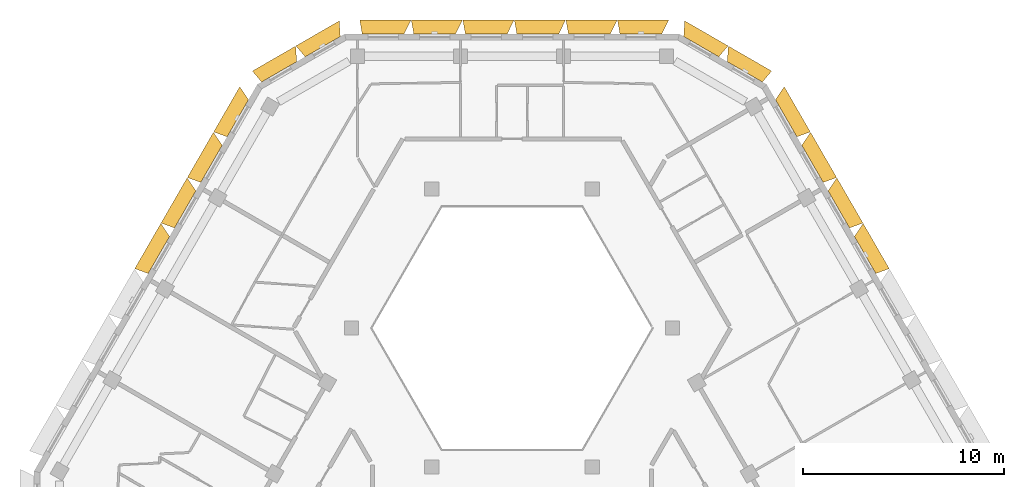
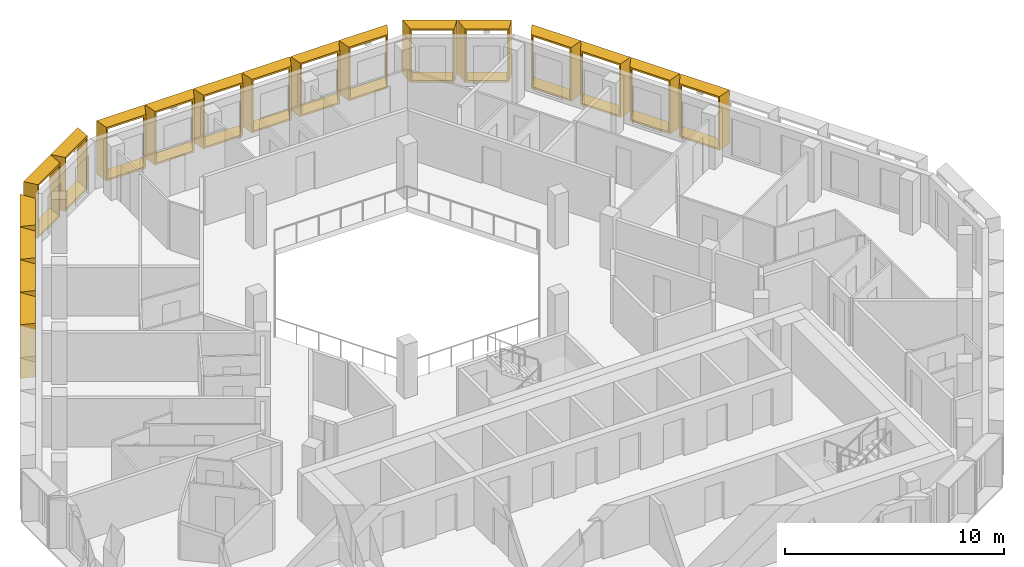
# One storey, part 16 of 16: 18 shading devices.
"""IFC4 building model written with IfcOpenShell, lengths in metres."""

from ifc_helpers import new_model, entity, si_unit, direction, frame, origin, place, context, subcontext, project, spatial, source, transform, mapped, material, type_object, type_shapes, element, save


model = new_model("IFC4")

# Units and contexts
model_context = context("Model", 3, precision=1e-05, world=origin(), true_north=direction((0.0, 1.0)))
body_context = subcontext(model_context, "Body", "Model", "MODEL_VIEW")
ifc_project = project(units=[si_unit("LENGTHUNIT", "METRE"), si_unit("AREAUNIT", "SQUARE_METRE"), si_unit("VOLUMEUNIT", "CUBIC_METRE"), si_unit("PLANEANGLEUNIT", "RADIAN"), si_unit("MASSUNIT", "GRAM", prefix="KILO")], contexts=[model_context])

# Site, building, storey
site_placement = place(None, origin())
site = spatial("IfcSite", under=ifc_project, at=site_placement, CompositionType="ELEMENT")
building_placement = place(site_placement, origin())
building = spatial("IfcBuilding", under=site, at=building_placement, Name="Beryl Residences", CompositionType="ELEMENT")
storey_placement = place(building_placement, frame((0.0, 0.0, 214.800048828125)))
storey = spatial("IfcBuildingStorey", under=building, at=storey_placement, Name="L66", CompositionType="ELEMENT", Elevation=214.800048828125)

# Shading devices
ifc_material_1 = material(Name="Aluminium pale anodised", Category="aluminium")
shading_device_type_1 = type_object("IfcShadingDeviceType", Name="FR250-70B OUTER SKIN frame 700 mm deep, splay 26/10 deg, 2500 x 3000 mm cell", PredefinedType="USERDEFINED", material=ifc_material_1)
cartesian_point_1 = entity("IfcCartesianPoint", [-1.007568359375, 0.0])
cartesian_point_2 = entity("IfcCartesianPoint", [-0.91845703125, 0.10009765625])
cartesian_point_3 = entity("IfcCartesianPoint", [-1.348876953125, 0.0])
cartesian_point_4 = entity("IfcCartesianPoint", [-1.260009765625, 0.10009765625])
shared_shape_1 = source(origin(), body_context, "Body", "SweptSolid", [
    entity("IfcExtrudedAreaSolidTapered", entity("IfcArbitraryProfileDefWithVoids", "AREA", None, entity("IfcPolyline", [cartesian_point_1, entity("IfcCartesianPoint", [1.007568359375, 0.0]), entity("IfcCartesianPoint", [1.007568359375, 3.0]), entity("IfcCartesianPoint", [-1.007568359375, 3.0]), cartesian_point_1]), [entity("IfcPolyline", [cartesian_point_2, entity("IfcCartesianPoint", [0.92626953125, 0.10009765625]), entity("IfcCartesianPoint", [0.92626953125, 2.89990234375]), entity("IfcCartesianPoint", [-0.91845703125, 2.89990234375]), cartesian_point_2])]), entity("IfcAxis2Placement3D", entity("IfcCartesianPoint", [0.0, 0.0, 0.0]), entity("IfcDirection", [0.0, 1.0, 0.0]), entity("IfcDirection", [-1.0, 0.0, 0.0])), entity("IfcDirection", [0.0, 0.0, 1.0]), 0.699951171875, entity("IfcArbitraryProfileDefWithVoids", "AREA", None, entity("IfcPolyline", [cartesian_point_3, entity("IfcCartesianPoint", [1.130859375, 0.0]), entity("IfcCartesianPoint", [1.130859375, 3.0]), entity("IfcCartesianPoint", [-1.348876953125, 3.0]), cartesian_point_3]), [entity("IfcPolyline", [cartesian_point_4, entity("IfcCartesianPoint", [1.0498046875, 0.10009765625]), entity("IfcCartesianPoint", [1.0498046875, 2.89990234375]), entity("IfcCartesianPoint", [-1.260009765625, 2.89990234375]), cartesian_point_4])])),
])
type_shapes(shading_device_type_1, [shared_shape_1])
for number, where, z_axis, x_axis, name in (
    (1, (-9.39599609375, 21.97509765625, 0.0), (0.0, 0.0, 1.0), (0.866025403784, 0.5, 0.0), "FR250-70B frame L66 N-NW 1"),
    (2, (-11.56103515625, 20.72509765625, 0.0), (0.0, 0.0, 1.0), (0.866025403784, 0.5, 0.0), "FR250-70B frame L66 N-NW 2"),
):
    element("IfcShadingDevice", number, at=place(storey_placement, frame(where, z_axis=z_axis, x_axis=x_axis)), inside=storey, type_object=shading_device_type_1, Name=name, ObjectType="OUTER SKIN", PredefinedType="USERDEFINED", context=body_context, shape_type="MappedRepresentation", body=[
        mapped(shared_shape_1, transform((0.0, 0.0, 0.0))),
    ])
ifc_material_2 = material(Name="Aluminium pale anodised", Category="aluminium")
shading_device_type_2 = type_object("IfcShadingDeviceType", Name="FR250-70C OUTER SKIN frame 700 mm deep, splay 10/26 deg, 2500 x 3000 mm cell", PredefinedType="USERDEFINED", material=ifc_material_2)
cartesian_point_5 = entity("IfcCartesianPoint", [-1.007568359375, 0.0])
cartesian_point_6 = entity("IfcCartesianPoint", [-0.92626953125, 0.10009765625])
cartesian_point_7 = entity("IfcCartesianPoint", [-1.130859375, 0.0])
cartesian_point_8 = entity("IfcCartesianPoint", [-1.0498046875, 0.10009765625])
shared_shape_2 = source(origin(), body_context, "Body", "SweptSolid", [
    entity("IfcExtrudedAreaSolidTapered", entity("IfcArbitraryProfileDefWithVoids", "AREA", None, entity("IfcPolyline", [cartesian_point_5, entity("IfcCartesianPoint", [1.007568359375, 0.0]), entity("IfcCartesianPoint", [1.007568359375, 3.0]), entity("IfcCartesianPoint", [-1.007568359375, 3.0]), cartesian_point_5]), [entity("IfcPolyline", [cartesian_point_6, entity("IfcCartesianPoint", [0.91845703125, 0.10009765625]), entity("IfcCartesianPoint", [0.91845703125, 2.89990234375]), entity("IfcCartesianPoint", [-0.92626953125, 2.89990234375]), cartesian_point_6])]), entity("IfcAxis2Placement3D", entity("IfcCartesianPoint", [0.0, 0.0, 0.0]), entity("IfcDirection", [0.0, 1.0, 0.0]), entity("IfcDirection", [-1.0, 0.0, 0.0])), entity("IfcDirection", [0.0, 0.0, 1.0]), 0.699951171875, entity("IfcArbitraryProfileDefWithVoids", "AREA", None, entity("IfcPolyline", [cartesian_point_7, entity("IfcCartesianPoint", [1.348876953125, 0.0]), entity("IfcCartesianPoint", [1.348876953125, 3.0]), entity("IfcCartesianPoint", [-1.130859375, 3.0]), cartesian_point_7]), [entity("IfcPolyline", [cartesian_point_8, entity("IfcCartesianPoint", [1.260009765625, 0.10009765625]), entity("IfcCartesianPoint", [1.260009765625, 2.89990234375]), entity("IfcCartesianPoint", [-1.0498046875, 2.89990234375]), cartesian_point_8])])),
])
type_shapes(shading_device_type_2, [shared_shape_2])
for number, where, z_axis, x_axis, name in (
    (3, (11.56103515625, 20.72509765625, 0.0), (0.0, 0.0, 1.0), (0.866025403784, -0.5, 0.0), "FR250-70C frame L66 NE-N 1"),
    (4, (9.39599609375, 21.97509765625, 0.0), (0.0, 0.0, 1.0), (0.866025403784, -0.5, 0.0), "FR250-70C frame L66 NE-N 2"),
):
    element("IfcShadingDevice", number, at=place(storey_placement, frame(where, z_axis=z_axis, x_axis=x_axis)), inside=storey, type_object=shading_device_type_2, Name=name, ObjectType="OUTER SKIN", PredefinedType="USERDEFINED", context=body_context, shape_type="MappedRepresentation", body=[
        mapped(shared_shape_2, transform((0.0, 0.0, 0.0))),
    ])
ifc_material_3 = material(Name="Aluminium pale anodised", Category="aluminium")
shading_device_type_3 = type_object("IfcShadingDeviceType", Name="FR256-70B OUTER SKIN frame 700 mm deep, splay 26/10 deg, 2560 x 3000 mm cell", PredefinedType="USERDEFINED", material=ifc_material_3)
cartesian_point_9 = entity("IfcCartesianPoint", [-1.03759765625, 0.0])
cartesian_point_10 = entity("IfcCartesianPoint", [-0.948486328125, 0.10009765625])
cartesian_point_11 = entity("IfcCartesianPoint", [-1.37890625, 0.0])
cartesian_point_12 = entity("IfcCartesianPoint", [-1.289794921875, 0.10009765625])
shared_shape_3 = source(origin(), body_context, "Body", "SweptSolid", [
    entity("IfcExtrudedAreaSolidTapered", entity("IfcArbitraryProfileDefWithVoids", "AREA", None, entity("IfcPolyline", [cartesian_point_9, entity("IfcCartesianPoint", [1.03759765625, 0.0]), entity("IfcCartesianPoint", [1.03759765625, 3.0]), entity("IfcCartesianPoint", [-1.03759765625, 3.0]), cartesian_point_9]), [entity("IfcPolyline", [cartesian_point_10, entity("IfcCartesianPoint", [0.956298828125, 0.10009765625]), entity("IfcCartesianPoint", [0.956298828125, 2.89990234375]), entity("IfcCartesianPoint", [-0.948486328125, 2.89990234375]), cartesian_point_10])]), entity("IfcAxis2Placement3D", entity("IfcCartesianPoint", [0.0, 0.0, 0.0]), entity("IfcDirection", [0.0, 1.0, 0.0]), entity("IfcDirection", [-1.0, 0.0, 0.0])), entity("IfcDirection", [0.0, 0.0, 1.0]), 0.699951171875, entity("IfcArbitraryProfileDefWithVoids", "AREA", None, entity("IfcPolyline", [cartesian_point_11, entity("IfcCartesianPoint", [1.160888671875, 0.0]), entity("IfcCartesianPoint", [1.160888671875, 3.0]), entity("IfcCartesianPoint", [-1.37890625, 3.0]), cartesian_point_11]), [entity("IfcPolyline", [cartesian_point_12, entity("IfcCartesianPoint", [1.07958984375, 0.10009765625]), entity("IfcCartesianPoint", [1.07958984375, 2.89990234375]), entity("IfcCartesianPoint", [-1.289794921875, 2.89990234375]), cartesian_point_12])])),
])
type_shapes(shading_device_type_3, [shared_shape_3])
for number, where, z_axis, x_axis, name in (
    (5, (6.39892578125, 22.60009765625, 0.0), (0.0, 0.0, 1.0), (1.0, 0.0, 0.0), "FR256-70B frame L66 N 1"),
    (6, (3.840087890625, 22.60009765625, 0.0), (0.0, 0.0, 1.0), (1.0, 0.0, 0.0), "FR256-70B frame L66 N 2"),
    (7, (1.280029296875, 22.60009765625, 0.0), (0.0, 0.0, 1.0), (1.0, 0.0, 0.0), "FR256-70B frame L66 N 3"),
    (8, (-1.279052734375, 22.60009765625, 0.0), (0.0, 0.0, 1.0), (1.0, 0.0, 0.0), "FR256-70B frame L66 N 4"),
    (9, (-3.839111328125, 22.60009765625, 0.0), (0.0, 0.0, 1.0), (1.0, 0.0, 0.0), "FR256-70B frame L66 N 5"),
    (10, (-6.39794921875, 22.60009765625, 0.0), (0.0, 0.0, 1.0), (1.0, 0.0, 0.0), "FR256-70B frame L66 N 6"),
):
    element("IfcShadingDevice", number, at=place(storey_placement, frame(where, z_axis=z_axis, x_axis=x_axis)), inside=storey, type_object=shading_device_type_3, Name=name, ObjectType="OUTER SKIN", PredefinedType="USERDEFINED", context=body_context, shape_type="MappedRepresentation", body=[
        mapped(shared_shape_3, transform((0.0, 0.0, 0.0))),
    ])
ifc_material_4 = material(Name="Aluminium pale anodised", Category="aluminium")
shading_device_type_4 = type_object("IfcShadingDeviceType", Name="FR261-70B OUTER SKIN frame 700 mm deep, splay 26/10 deg, 2610 x 3000 mm cell", PredefinedType="USERDEFINED", material=ifc_material_4)
cartesian_point_13 = entity("IfcCartesianPoint", [-1.0625, 0.0])
cartesian_point_14 = entity("IfcCartesianPoint", [-0.973388671875, 0.10009765625])
cartesian_point_15 = entity("IfcCartesianPoint", [-1.40380859375, 0.0])
cartesian_point_16 = entity("IfcCartesianPoint", [-1.31494140625, 0.10009765625])
shared_shape_4 = source(origin(), body_context, "Body", "SweptSolid", [
    entity("IfcExtrudedAreaSolidTapered", entity("IfcArbitraryProfileDefWithVoids", "AREA", None, entity("IfcPolyline", [cartesian_point_13, entity("IfcCartesianPoint", [1.0625, 0.0]), entity("IfcCartesianPoint", [1.0625, 3.0]), entity("IfcCartesianPoint", [-1.0625, 3.0]), cartesian_point_13]), [entity("IfcPolyline", [cartesian_point_14, entity("IfcCartesianPoint", [0.981201171875, 0.10009765625]), entity("IfcCartesianPoint", [0.981201171875, 2.89990234375]), entity("IfcCartesianPoint", [-0.973388671875, 2.89990234375]), cartesian_point_14])]), entity("IfcAxis2Placement3D", entity("IfcCartesianPoint", [0.0, 0.0, 0.0]), entity("IfcDirection", [0.0, 1.0, 0.0]), entity("IfcDirection", [-1.0, 0.0, 0.0])), entity("IfcDirection", [0.0, 0.0, 1.0]), 0.699951171875, entity("IfcArbitraryProfileDefWithVoids", "AREA", None, entity("IfcPolyline", [cartesian_point_15, entity("IfcCartesianPoint", [1.18603515625, 0.0]), entity("IfcCartesianPoint", [1.18603515625, 3.0]), entity("IfcCartesianPoint", [-1.40380859375, 3.0]), cartesian_point_15]), [entity("IfcPolyline", [cartesian_point_16, entity("IfcCartesianPoint", [1.104736328125, 0.10009765625]), entity("IfcCartesianPoint", [1.104736328125, 2.89990234375]), entity("IfcCartesianPoint", [-1.31494140625, 2.89990234375]), cartesian_point_16])])),
])
type_shapes(shading_device_type_4, [shared_shape_4])
for number, where, z_axis, x_axis, name in (
    (11, (-13.614013671875, 18.4189453125, 0.0), (0.0, 0.0, 1.0), (0.5, 0.866025403784, 0.0), "FR261-70B frame L66 NW 1"),
    (12, (-14.9208984375, 16.156005859375, 0.0), (0.0, 0.0, 1.0), (0.5, 0.866025403784, 0.0), "FR261-70B frame L66 NW 2"),
    (13, (-16.22705078125, 13.89404296875, 0.0), (0.0, 0.0, 1.0), (0.5, 0.866025403784, 0.0), "FR261-70B frame L66 NW 3"),
    (14, (-17.532958984375, 11.631103515625, 0.0), (0.0, 0.0, 1.0), (0.5, 0.866025403784, 0.0), "FR261-70B frame L66 NW 4"),
):
    element("IfcShadingDevice", number, at=place(storey_placement, frame(where, z_axis=z_axis, x_axis=x_axis)), inside=storey, type_object=shading_device_type_4, Name=name, ObjectType="OUTER SKIN", PredefinedType="USERDEFINED", context=body_context, shape_type="MappedRepresentation", body=[
        mapped(shared_shape_4, transform((0.0, 0.0, 0.0))),
    ])
ifc_material_5 = material(Name="Aluminium pale anodised", Category="aluminium")
shading_device_type_5 = type_object("IfcShadingDeviceType", Name="FR261-70C OUTER SKIN frame 700 mm deep, splay 10/26 deg, 2610 x 3000 mm cell", PredefinedType="USERDEFINED", material=ifc_material_5)
cartesian_point_17 = entity("IfcCartesianPoint", [-1.0625, 0.0])
cartesian_point_18 = entity("IfcCartesianPoint", [-0.981201171875, 0.10009765625])
cartesian_point_19 = entity("IfcCartesianPoint", [-1.18603515625, 0.0])
cartesian_point_20 = entity("IfcCartesianPoint", [-1.104736328125, 0.10009765625])
shared_shape_5 = source(origin(), body_context, "Body", "SweptSolid", [
    entity("IfcExtrudedAreaSolidTapered", entity("IfcArbitraryProfileDefWithVoids", "AREA", None, entity("IfcPolyline", [cartesian_point_17, entity("IfcCartesianPoint", [1.0625, 0.0]), entity("IfcCartesianPoint", [1.0625, 3.0]), entity("IfcCartesianPoint", [-1.0625, 3.0]), cartesian_point_17]), [entity("IfcPolyline", [cartesian_point_18, entity("IfcCartesianPoint", [0.973388671875, 0.10009765625]), entity("IfcCartesianPoint", [0.973388671875, 2.89990234375]), entity("IfcCartesianPoint", [-0.981201171875, 2.89990234375]), cartesian_point_18])]), entity("IfcAxis2Placement3D", entity("IfcCartesianPoint", [0.0, 0.0, 0.0]), entity("IfcDirection", [0.0, 1.0, 0.0]), entity("IfcDirection", [-1.0, 0.0, 0.0])), entity("IfcDirection", [0.0, 0.0, 1.0]), 0.699951171875, entity("IfcArbitraryProfileDefWithVoids", "AREA", None, entity("IfcPolyline", [cartesian_point_19, entity("IfcCartesianPoint", [1.40380859375, 0.0]), entity("IfcCartesianPoint", [1.40380859375, 3.0]), entity("IfcCartesianPoint", [-1.18603515625, 3.0]), cartesian_point_19]), [entity("IfcPolyline", [cartesian_point_20, entity("IfcCartesianPoint", [1.31494140625, 0.10009765625]), entity("IfcCartesianPoint", [1.31494140625, 2.89990234375]), entity("IfcCartesianPoint", [-1.104736328125, 2.89990234375]), cartesian_point_20])])),
])
type_shapes(shading_device_type_5, [shared_shape_5])
for number, where, z_axis, x_axis, name in (
    (15, (17.532958984375, 11.631103515625, 0.0), (0.0, 0.0, 1.0), (0.5, -0.866025403784, 0.0), "FR261-70C frame L66 NE 5"),
    (16, (16.22705078125, 13.89404296875, 0.0), (0.0, 0.0, 1.0), (0.5, -0.866025403784, 0.0), "FR261-70C frame L66 NE 6"),
    (17, (14.9208984375, 16.156005859375, 0.0), (0.0, 0.0, 1.0), (0.5, -0.866025403784, 0.0), "FR261-70C frame L66 NE 7"),
    (18, (13.614013671875, 18.4189453125, 0.0), (0.0, 0.0, 1.0), (0.5, -0.866025403784, 0.0), "FR261-70C frame L66 NE 8"),
):
    element("IfcShadingDevice", number, at=place(storey_placement, frame(where, z_axis=z_axis, x_axis=x_axis)), inside=storey, type_object=shading_device_type_5, Name=name, ObjectType="OUTER SKIN", PredefinedType="USERDEFINED", context=body_context, shape_type="MappedRepresentation", body=[
        mapped(shared_shape_5, transform((0.0, 0.0, 0.0))),
    ])

save(model, "model.ifc")
